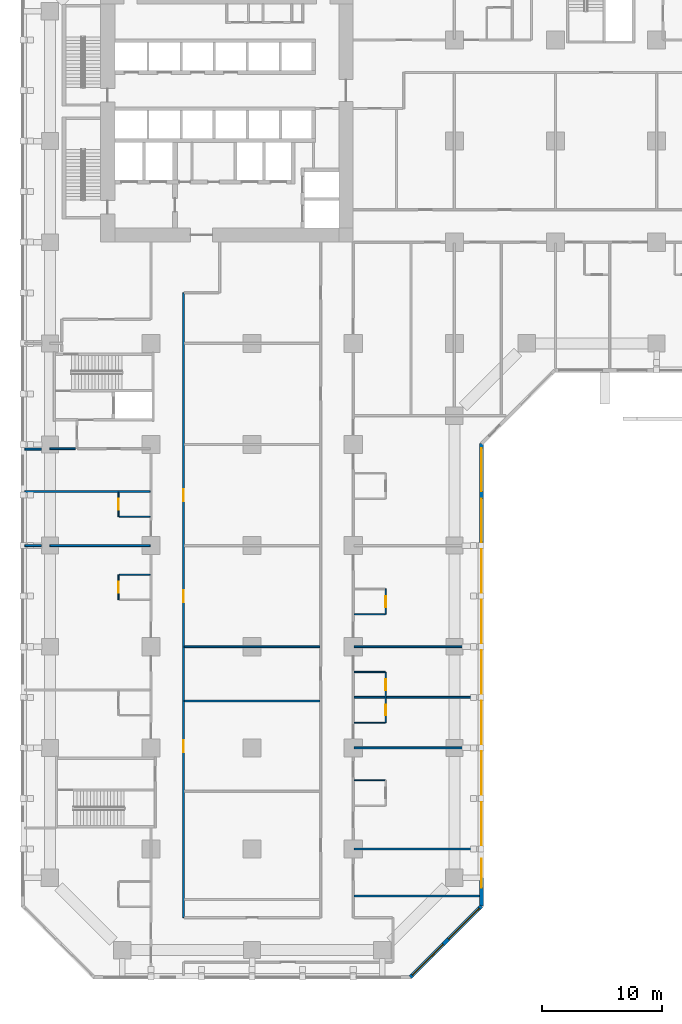
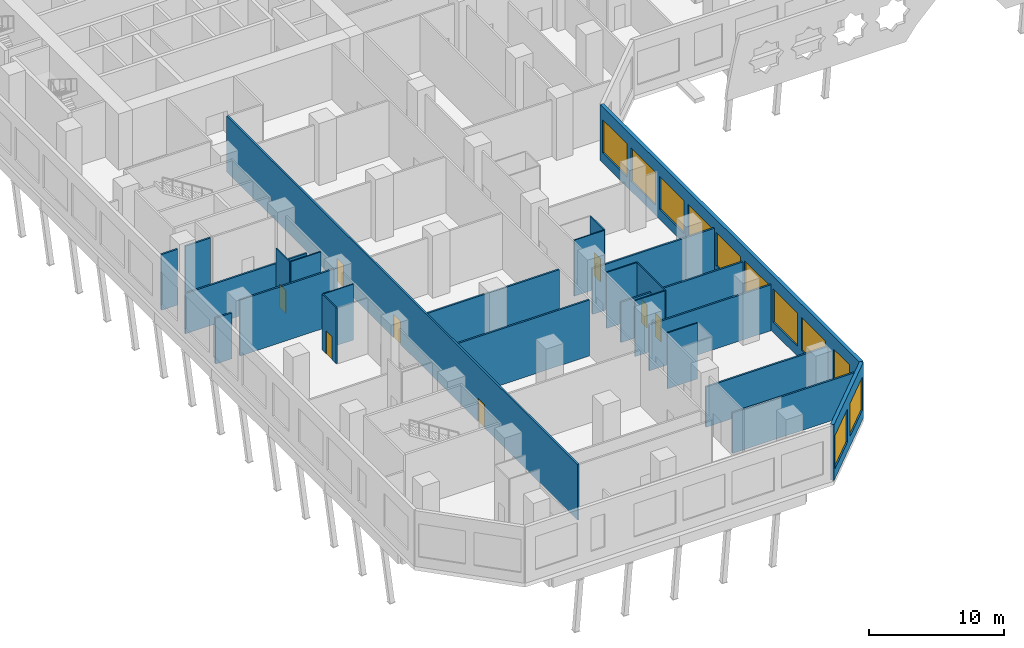
# One storey, part 4 of 24: 25 walls, 11 windows, 8 doors, 19 openings.
"""IFC4 building model written with IfcOpenShell, lengths in metres."""

from ifc_helpers import new_model, si_unit, direction, frame, frame_2d, origin, place, context, subcontext, project, spatial, rectangle, extrude, material, layer, layer_set, type_object, element, fill, save


model = new_model("IFC4")

# Units and contexts
model_context = context("Model", 3, precision=1e-05, world=origin(), true_north=direction((0.0, 1.0)))
body_context = subcontext(model_context, "Body", "Model", "MODEL_VIEW")
ifc_project = project(units=[si_unit("LENGTHUNIT", "METRE"), si_unit("AREAUNIT", "SQUARE_METRE"), si_unit("VOLUMEUNIT", "CUBIC_METRE"), si_unit("PLANEANGLEUNIT", "RADIAN"), si_unit("MASSUNIT", "GRAM", prefix="KILO")], contexts=[model_context])

# Site, building, storey
site_placement = place(None, origin())
site = spatial("IfcSite", under=ifc_project, at=site_placement, CompositionType="ELEMENT")
building_placement = place(site_placement, origin())
building = spatial("IfcBuilding", under=site, at=building_placement, Name="Kawkab Arch Medical Tower", CompositionType="ELEMENT")
storey_placement = place(building_placement, frame((0.0, 0.0, 18.199951171875)))
storey = spatial("IfcBuildingStorey", under=building, at=storey_placement, Name="L04", CompositionType="ELEMENT", Elevation=18.199951171875)

# Walls
ifc_material_1 = material(Name="Gypsum board partition on steel studs", Category="steel")
ifc_layer_1 = layer(ifc_material_1, 0.10009765625)
ifc_layer_set_1 = layer_set([ifc_layer_1], Name="Gypsum board partition on steel studs")
wall_type_1 = type_object("IfcWallType", Name="Partition 100", PredefinedType="PARTITIONING", material=ifc_layer_set_1)
wall_1_placement = place(storey_placement, frame((25.27490234375, -69.89990234375, 0.0), z_axis=(0.0, 0.0, 1.0), x_axis=(1.0, 0.0, 0.0)))
element("IfcWall", 1, at=wall_1_placement, inside=storey, type_object=wall_type_1, Name="Partition 100 w004", PredefinedType="PARTITIONING", context=body_context, shape_type="SweptSolid", body=[
    extrude(rectangle(XDim=2.57421875, YDim=0.10009765625, at=frame_2d((1.287109375, 0.0))), origin(), (0.0, 0.0, 1.0), 5.050048828125),
])
for number, where, z_axis, x_axis, name in (
    (2, (25.27490234375, -65.10009765625, 0.0), (0.0, 0.0, 1.0), (1.0, 0.0, 0.0), "Partition 100 w005"),
    (3, (25.27490234375, -60.89990234375, 0.0), (0.0, 0.0, 1.0), (1.0, 0.0, 0.0), "Partition 100 w007"),
):
    element("IfcWall", number, at=place(storey_placement, frame(where, z_axis=z_axis, x_axis=x_axis)), inside=storey, type_object=wall_type_1, Name=name, PredefinedType="PARTITIONING", context=body_context, shape_type="SweptSolid", body=[
        extrude(rectangle(XDim=2.5751953125, YDim=0.10009765625, at=frame_2d((1.28759765625, 0.0))), origin(), (0.0, 0.0, 1.0), 5.050048828125),
    ])
wall_2_placement = place(storey_placement, frame((25.27490234375, -56.10009765625, 0.0), z_axis=(0.0, 0.0, 1.0), x_axis=(1.0, 0.0, 0.0)))
element("IfcWall", 4, at=wall_2_placement, inside=storey, type_object=wall_type_1, Name="Partition 100 w008", PredefinedType="PARTITIONING", context=body_context, shape_type="SweptSolid", body=[
    extrude(rectangle(XDim=2.572998046875, YDim=0.10009765625, at=frame_2d((1.28662109375, 0.0))), origin(), (0.0, 0.0, 1.0), 5.050048828125),
])
wall_3_placement = place(storey_placement, frame((5.7529296875, -52.820068359375, 0.0), z_axis=(0.0, 0.0, 1.0), x_axis=(1.0, 0.0, 0.0)))
element("IfcWall", 5, at=wall_3_placement, inside=storey, type_object=wall_type_1, Name="Partition 100 w011", PredefinedType="PARTITIONING", context=body_context, shape_type="SweptSolid", body=[
    extrude(rectangle(XDim=2.572021484375, YDim=0.10009765625, at=frame_2d((1.2861328125, 0.0))), origin(), (0.0, 0.0, 1.0), 5.050048828125),
])
wall_4_placement = place(storey_placement, frame((5.75, -48.0, 0.0), z_axis=(0.0, 0.0, 1.0), x_axis=(1.0, 0.0, 0.0)))
element("IfcWall", 6, at=wall_4_placement, inside=storey, type_object=wall_type_1, Name="Partition 100 w012", PredefinedType="PARTITIONING", context=body_context, shape_type="SweptSolid", body=[
    extrude(rectangle(XDim=2.574951171875, YDim=0.10009765625, at=frame_2d((1.28759765625, 0.0))), origin(), (0.0, 0.0, 1.0), 5.050048828125),
])

# Wall, opening, door
wall_5_placement = place(storey_placement, frame((5.699951171875, -54.89794921875, 0.0), z_axis=(0.0, 0.0, 1.0), x_axis=(0.0, 1.0, 0.0)))
wall_5 = element("IfcWall", 7, at=wall_5_placement, inside=storey, type_object=wall_type_1, Name="Partition 100 w024", PredefinedType="PARTITIONING", context=body_context, shape_type="SweptSolid", body=[
    extrude(rectangle(XDim=2.074951171875, YDim=0.10009765625, at=frame_2d((1.03759765625, 0.0))), origin(), (0.0, 0.0, 1.0), 5.050048828125),
])
opening_1_placement = place(wall_5_placement, frame((0.5869140625, 0.0, 0.0)))
opening_1 = element("IfcOpeningElement", 8, at=opening_1_placement, cuts=wall_5, Name="Opening P04-009", PredefinedType="OPENING", context=body_context, shape_type="SweptSolid", body=[
    extrude(rectangle(XDim=0.89990234375, YDim=2.10009765625, at=frame_2d((0.449951171875, 1.050048828125))), frame((0.0, 0.06005859375, 0.0), z_axis=(0.0, -1.0, 0.0), x_axis=(1.0, 0.0, 0.0)), (0.0, 0.0, 1.0), 0.1201171875),
])
ifc_material_2 = material(Name="Timber door leaf", Category="wood")
door_type_1 = type_object("IfcDoorType", Name="Single door 900x2100", OperationType="NOTDEFINED", PredefinedType="DOOR", material=ifc_material_2)
door_1_placement = place(opening_1_placement, origin())
door_1 = element("IfcDoor", 9, at=door_1_placement, inside=storey, type_object=door_type_1, Name="Door P04-009", OperationType="SINGLE_SWING_RIGHT", OverallHeight=2.10009765625, OverallWidth=0.89990234375, PredefinedType="DOOR", context=body_context, shape_type="SweptSolid", body=[
    extrude(rectangle(XDim=0.89990234375, YDim=2.10009765625, at=frame_2d((0.449951171875, 1.050048828125))), frame((0.0, 0.02490234375, 0.0), z_axis=(0.0, -1.0, 0.0), x_axis=(1.0, 0.0, 0.0)), (0.0, 0.0, 1.0), 0.050048828125),
])
fill(opening_1, door_1)

wall_6_placement = place(storey_placement, frame((5.699951171875, -48.0, 0.0), z_axis=(0.0, 0.0, 1.0), x_axis=(0.0, 1.0, 0.0)))
wall_6 = element("IfcWall", 10, at=wall_6_placement, inside=storey, type_object=wall_type_1, Name="Partition 100 w025", PredefinedType="PARTITIONING", context=body_context, shape_type="SweptSolid", body=[
    extrude(rectangle(XDim=2.02490234375, YDim=0.10009765625, at=frame_2d((1.012451171875, 0.0))), origin(), (0.0, 0.0, 1.0), 5.050048828125),
])
opening_2_placement = place(wall_6_placement, frame((0.60009765625, 0.0, 0.0)))
opening_2 = element("IfcOpeningElement", 11, at=opening_2_placement, cuts=wall_6, Name="Opening P04-008", PredefinedType="OPENING", context=body_context, shape_type="SweptSolid", body=[
    extrude(rectangle(XDim=0.89990234375, YDim=2.10009765625, at=frame_2d((0.449951171875, 1.050048828125))), frame((0.0, 0.06005859375, 0.0), z_axis=(0.0, -1.0, 0.0), x_axis=(1.0, 0.0, 0.0)), (0.0, 0.0, 1.0), 0.1201171875),
])
door_2_placement = place(opening_2_placement, origin())
door_2 = element("IfcDoor", 12, at=door_2_placement, inside=storey, type_object=door_type_1, Name="Door P04-008", OperationType="SINGLE_SWING_LEFT", OverallHeight=2.10009765625, OverallWidth=0.89990234375, PredefinedType="DOOR", context=body_context, shape_type="SweptSolid", body=[
    extrude(rectangle(XDim=0.89990234375, YDim=2.10009765625, at=frame_2d((0.449951171875, 1.050048828125))), frame((0.0, 0.02490234375, 0.0), z_axis=(0.0, -1.0, 0.0), x_axis=(1.0, 0.0, 0.0)), (0.0, 0.0, 1.0), 0.050048828125),
])
fill(opening_2, door_2)

# Wall, openings, doors
wall_7_placement = place(storey_placement, frame((27.89990234375, -65.10009765625, 0.0), z_axis=(0.0, 0.0, 1.0), x_axis=(0.0, 1.0, 0.0)))
wall_7 = element("IfcWall", 13, at=wall_7_placement, inside=storey, type_object=wall_type_1, Name="Partition 100 w027", PredefinedType="PARTITIONING", context=body_context, shape_type="SweptSolid", body=[
    extrude(rectangle(XDim=4.2001953125, YDim=0.10009765625, at=frame_2d((2.10009765625, 0.0))), origin(), (0.0, 0.0, 1.0), 5.050048828125),
])
opening_3_placement = place(wall_7_placement, frame((2.699951171875, 0.0, 0.0)))
opening_3 = element("IfcOpeningElement", 14, at=opening_3_placement, cuts=wall_7, Name="Opening P04-015", PredefinedType="OPENING", context=body_context, shape_type="SweptSolid", body=[
    extrude(rectangle(XDim=0.89990234375, YDim=2.10009765625, at=frame_2d((0.449951171875, 1.050048828125))), frame((0.0, 0.06005859375, 0.0), z_axis=(0.0, -1.0, 0.0), x_axis=(1.0, 0.0, 0.0)), (0.0, 0.0, 1.0), 0.1201171875),
])
opening_4_placement = place(wall_7_placement, frame((0.60009765625, 0.0, 0.0)))
opening_4 = element("IfcOpeningElement", 15, at=opening_4_placement, cuts=wall_7, Name="Opening P04-016", PredefinedType="OPENING", context=body_context, shape_type="SweptSolid", body=[
    extrude(rectangle(XDim=0.89990234375, YDim=2.10009765625, at=frame_2d((0.449951171875, 1.050048828125))), frame((0.0, 0.06005859375, 0.0), z_axis=(0.0, -1.0, 0.0), x_axis=(1.0, 0.0, 0.0)), (0.0, 0.0, 1.0), 0.1201171875),
])
door_3_placement = place(opening_3_placement, origin())
door_3 = element("IfcDoor", 16, at=door_3_placement, inside=storey, type_object=door_type_1, Name="Door P04-015", OperationType="SINGLE_SWING_LEFT", OverallHeight=2.10009765625, OverallWidth=0.89990234375, PredefinedType="DOOR", context=body_context, shape_type="SweptSolid", body=[
    extrude(rectangle(XDim=0.89990234375, YDim=2.10009765625, at=frame_2d((0.449951171875, 1.050048828125))), frame((0.0, 0.02490234375, 0.0), z_axis=(0.0, -1.0, 0.0), x_axis=(1.0, 0.0, 0.0)), (0.0, 0.0, 1.0), 0.050048828125),
])
fill(opening_3, door_3)
door_4_placement = place(opening_4_placement, origin())
door_4 = element("IfcDoor", 17, at=door_4_placement, inside=storey, type_object=door_type_1, Name="Door P04-016", OperationType="SINGLE_SWING_RIGHT", OverallHeight=2.10009765625, OverallWidth=0.89990234375, PredefinedType="DOOR", context=body_context, shape_type="SweptSolid", body=[
    extrude(rectangle(XDim=0.89990234375, YDim=2.10009765625, at=frame_2d((0.449951171875, 1.050048828125))), frame((0.0, 0.02490234375, 0.0), z_axis=(0.0, -1.0, 0.0), x_axis=(1.0, 0.0, 0.0)), (0.0, 0.0, 1.0), 0.050048828125),
])
fill(opening_4, door_4)

# Wall, opening, door
wall_8_placement = place(storey_placement, frame((27.89990234375, -56.097900390625, 0.0), z_axis=(0.0, 0.0, 1.0), x_axis=(0.0, 1.0, 0.0)))
wall_8 = element("IfcWall", 18, at=wall_8_placement, inside=storey, type_object=wall_type_1, Name="Partition 100 w028", PredefinedType="PARTITIONING", context=body_context, shape_type="SweptSolid", body=[
    extrude(rectangle(XDim=2.095947265625, YDim=0.10009765625, at=frame_2d((1.0478515625, 0.0))), origin(), (0.0, 0.0, 1.0), 5.050048828125),
])
opening_5_placement = place(wall_8_placement, frame((0.597900390625, 0.0, 0.0)))
opening_5 = element("IfcOpeningElement", 19, at=opening_5_placement, cuts=wall_8, Name="Opening P04-014", PredefinedType="OPENING", context=body_context, shape_type="SweptSolid", body=[
    extrude(rectangle(XDim=0.89990234375, YDim=2.10009765625, at=frame_2d((0.449951171875, 1.050048828125))), frame((0.0, 0.06005859375, 0.0), z_axis=(0.0, -1.0, 0.0), x_axis=(1.0, 0.0, 0.0)), (0.0, 0.0, 1.0), 0.1201171875),
])
door_5_placement = place(opening_5_placement, origin())
door_5 = element("IfcDoor", 20, at=door_5_placement, inside=storey, type_object=door_type_1, Name="Door P04-014", OperationType="SINGLE_SWING_RIGHT", OverallHeight=2.10009765625, OverallWidth=0.89990234375, PredefinedType="DOOR", context=body_context, shape_type="SweptSolid", body=[
    extrude(rectangle(XDim=0.89990234375, YDim=2.10009765625, at=frame_2d((0.449951171875, 1.050048828125))), frame((0.0, 0.02490234375, 0.0), z_axis=(0.0, -1.0, 0.0), x_axis=(1.0, 0.0, 0.0)), (0.0, 0.0, 1.0), 0.050048828125),
])
fill(opening_5, door_5)

# Walls
ifc_material_3 = material(Name="Gypsum board partition on steel studs, mineral wool", Category="steel")
ifc_layer_2 = layer(ifc_material_3, 0.14990234375)
ifc_layer_set_2 = layer_set([ifc_layer_2], Name="Gypsum board partition on steel studs, mineral wool")
wall_type_2 = type_object("IfcWallType", Name="Partition 150", PredefinedType="PARTITIONING", material=ifc_layer_set_2)
for number, where, z_axis, x_axis, name in (
    (21, (25.27490234375, -79.5, 0.0), (0.0, 0.0, 1.0), (1.0, 0.0, 0.0), "Partition 150 w046"),
    (22, (25.27490234375, -75.60009765625, 0.0), (0.0, 0.0, 1.0), (1.0, 0.0, 0.0), "Partition 150 w047"),
):
    element("IfcWall", number, at=place(storey_placement, frame(where, z_axis=z_axis, x_axis=x_axis)), inside=storey, type_object=wall_type_2, Name=name, PredefinedType="PARTITIONING", context=body_context, shape_type="SweptSolid", body=[
        extrude(rectangle(XDim=10.405029296875, YDim=0.14990234375, at=frame_2d((5.20263671875, 0.0))), origin(), (0.0, 0.0, 1.0), 3.650146484375),
    ])
wall_9_placement = place(storey_placement, frame((25.27490234375, -67.199951171875, 0.0), z_axis=(0.0, 0.0, 1.0), x_axis=(1.0, 0.0, 0.0)))
element("IfcWall", 23, at=wall_9_placement, inside=storey, type_object=wall_type_2, Name="Partition 150 w050", PredefinedType="PARTITIONING", context=body_context, shape_type="SweptSolid", body=[
    extrude(rectangle(XDim=10.405029296875, YDim=0.14990234375, at=frame_2d((5.20263671875, 0.0))), origin(), (0.0, 0.0, 1.0), 4.150146484375),
])
wall_10_placement = place(storey_placement, frame((11.175048828125, -63.300048828125, 0.0), z_axis=(0.0, 0.0, 1.0), x_axis=(1.0, 0.0, 0.0)))
element("IfcWall", 24, at=wall_10_placement, inside=storey, type_object=wall_type_2, Name="Partition 150 w051", PredefinedType="PARTITIONING", context=body_context, shape_type="SweptSolid", body=[
    extrude(rectangle(XDim=11.25, YDim=0.14990234375, at=frame_2d((5.625, 0.0))), origin(), (0.0, 0.0, 1.0), 5.050048828125),
])
wall_11_placement = place(storey_placement, frame((25.27490234375, -63.0, 0.0), z_axis=(0.0, 0.0, 1.0), x_axis=(1.0, 0.0, 0.0)))
element("IfcWall", 25, at=wall_11_placement, inside=storey, type_object=wall_type_2, Name="Partition 150 w052", PredefinedType="PARTITIONING", context=body_context, shape_type="SweptSolid", body=[
    extrude(rectangle(XDim=10.405029296875, YDim=0.14990234375, at=frame_2d((5.20263671875, 0.0))), origin(), (0.0, 0.0, 1.0), 3.650146484375),
])
wall_12_placement = place(storey_placement, frame((11.175048828125, -58.800048828125, 0.0), z_axis=(0.0, 0.0, 1.0), x_axis=(1.0, 0.0, 0.0)))
element("IfcWall", 26, at=wall_12_placement, inside=storey, type_object=wall_type_2, Name="Partition 150 w054", PredefinedType="PARTITIONING", context=body_context, shape_type="SweptSolid", body=[
    extrude(rectangle(XDim=11.25, YDim=0.14990234375, at=frame_2d((5.625, 0.0))), origin(), (0.0, 0.0, 1.0), 5.050048828125),
])
wall_13_placement = place(storey_placement, frame((25.27490234375, -58.800048828125, 0.0), z_axis=(0.0, 0.0, 1.0), x_axis=(1.0, 0.0, 0.0)))
element("IfcWall", 27, at=wall_13_placement, inside=storey, type_object=wall_type_2, Name="Partition 150 w055", PredefinedType="PARTITIONING", context=body_context, shape_type="SweptSolid", body=[
    extrude(rectangle(XDim=10.405029296875, YDim=0.14990234375, at=frame_2d((5.20263671875, 0.0))), origin(), (0.0, 0.0, 1.0), 4.150146484375),
])
wall_14_placement = place(storey_placement, frame((-2.080078125, -50.39990234375, 0.0), z_axis=(0.0, 0.0, 1.0), x_axis=(1.0, 0.0, 0.0)))
element("IfcWall", 28, at=wall_14_placement, inside=storey, type_object=wall_type_2, Name="Partition 150 w056", PredefinedType="PARTITIONING", context=body_context, shape_type="SweptSolid", body=[
    extrude(rectangle(XDim=1.380126953125, YDim=0.14990234375, at=frame_2d((0.68994140625, 0.0))), origin(), (0.0, 0.0, 1.0), 4.150146484375),
])
wall_15_placement = place(storey_placement, frame((0.0029296875, -50.39990234375, 0.0), z_axis=(0.0, 0.0, 1.0), x_axis=(1.0, 0.0, 0.0)))
element("IfcWall", 29, at=wall_15_placement, inside=storey, type_object=wall_type_2, Name="Partition 150 w057", PredefinedType="PARTITIONING", context=body_context, shape_type="SweptSolid", body=[
    extrude(rectangle(XDim=8.322021484375, YDim=0.14990234375, at=frame_2d((4.1611328125, 0.0))), origin(), (0.0, 0.0, 1.0), 5.050048828125),
])
wall_16_placement = place(storey_placement, frame((-2.080078125, -45.89990234375, 0.0), z_axis=(0.0, 0.0, 1.0), x_axis=(1.0, 0.0, 0.0)))
element("IfcWall", 30, at=wall_16_placement, inside=storey, type_object=wall_type_2, Name="Partition 150 w060", PredefinedType="PARTITIONING", context=body_context, shape_type="SweptSolid", body=[
    extrude(rectangle(XDim=10.405029296875, YDim=0.14990234375, at=frame_2d((5.20263671875, 0.0))), origin(), (0.0, 0.0, 1.0), 3.650146484375),
])
wall_17_placement = place(storey_placement, frame((-2.080078125, -42.385009765625, 0.0), z_axis=(0.0, 0.0, 1.0), x_axis=(1.0, 0.0, 0.0)))
element("IfcWall", 31, at=wall_17_placement, inside=storey, type_object=wall_type_2, Name="Partition 150 w061", PredefinedType="PARTITIONING", context=body_context, shape_type="SweptSolid", body=[
    extrude(rectangle(XDim=1.380126953125, YDim=0.14990234375, at=frame_2d((0.68994140625, 0.0))), origin(), (0.0, 0.0, 1.0), 5.050048828125),
])
wall_18_placement = place(storey_placement, frame((0.0029296875, -42.35009765625, 0.0), z_axis=(0.0, 0.0, 1.0), x_axis=(1.0, 0.0, 0.0)))
element("IfcWall", 32, at=wall_18_placement, inside=storey, type_object=wall_type_2, Name="Partition 150 w062", PredefinedType="PARTITIONING", context=body_context, shape_type="SweptSolid", body=[
    extrude(rectangle(XDim=2.1220703125, YDim=0.14990234375, at=frame_2d((1.06103515625, 0.0))), origin(), (0.0, 0.0, 1.0), 5.050048828125),
])

# Wall, openings, doors
wall_19_placement = place(storey_placement, frame((11.10009765625, -81.300048828125, 0.0), z_axis=(0.0, 0.0, 1.0), x_axis=(0.0, 1.0, 0.0)))
wall_19 = element("IfcWall", 33, at=wall_19_placement, inside=storey, type_object=wall_type_2, Name="Partition 150 w095", PredefinedType="PARTITIONING", context=body_context, shape_type="SweptSolid", body=[
    extrude(rectangle(XDim=51.900146484375, YDim=0.14990234375, at=frame_2d((25.9501953125, 0.0))), origin(), (0.0, 0.0, 1.0), 5.050048828125),
])
opening_6_placement = place(wall_19_placement, frame((34.60009765625, 0.0, 0.0)))
opening_6 = element("IfcOpeningElement", 34, at=opening_6_placement, cuts=wall_19, Name="Opening P04-031", PredefinedType="OPENING", context=body_context, shape_type="SweptSolid", body=[
    extrude(rectangle(XDim=1.0, YDim=2.10009765625, at=frame_2d((0.5, 1.050048828125))), frame((0.0, 0.0849609375, 0.0), z_axis=(0.0, -1.0, 0.0), x_axis=(1.0, 0.0, 0.0)), (0.0, 0.0, 1.0), 0.169921875),
])
opening_7_placement = place(wall_19_placement, frame((26.199951171875, 0.0, 0.0)))
opening_7 = element("IfcOpeningElement", 35, at=opening_7_placement, cuts=wall_19, Name="Opening P04-032", PredefinedType="OPENING", context=body_context, shape_type="SweptSolid", body=[
    extrude(rectangle(XDim=1.0, YDim=2.10009765625, at=frame_2d((0.5, 1.050048828125))), frame((0.0, 0.0849609375, 0.0), z_axis=(0.0, -1.0, 0.0), x_axis=(1.0, 0.0, 0.0)), (0.0, 0.0, 1.0), 0.169921875),
])
opening_8_placement = place(wall_19_placement, frame((13.75, 0.0, 0.0)))
opening_8 = element("IfcOpeningElement", 36, at=opening_8_placement, cuts=wall_19, Name="Opening P04-034", PredefinedType="OPENING", context=body_context, shape_type="SweptSolid", body=[
    extrude(rectangle(XDim=1.0, YDim=2.10009765625, at=frame_2d((0.5, 1.050048828125))), frame((0.0, 0.0849609375, 0.0), z_axis=(0.0, -1.0, 0.0), x_axis=(1.0, 0.0, 0.0)), (0.0, 0.0, 1.0), 0.169921875),
])
ifc_material_4 = material(Name="Hollow metal door leaf")
door_type_2 = type_object("IfcDoorType", Name="Single door 1000x2100 FD30S", OperationType="NOTDEFINED", PredefinedType="DOOR", material=ifc_material_4)
door_6_placement = place(opening_6_placement, origin())
door_6 = element("IfcDoor", 37, at=door_6_placement, inside=storey, type_object=door_type_2, Name="Door P04-031", OperationType="SINGLE_SWING_LEFT", OverallHeight=2.10009765625, OverallWidth=1.0, PredefinedType="DOOR", context=body_context, shape_type="SweptSolid", body=[
    extrude(rectangle(XDim=1.0, YDim=2.10009765625, at=frame_2d((0.5, 1.050048828125))), frame((0.0, 0.02490234375, 0.0), z_axis=(0.0, -1.0, 0.0), x_axis=(1.0, 0.0, 0.0)), (0.0, 0.0, 1.0), 0.050048828125),
])
fill(opening_6, door_6)
door_7_placement = place(opening_7_placement, origin())
door_7 = element("IfcDoor", 38, at=door_7_placement, inside=storey, type_object=door_type_2, Name="Door P04-032", OperationType="SINGLE_SWING_LEFT", OverallHeight=2.10009765625, OverallWidth=1.0, PredefinedType="DOOR", context=body_context, shape_type="SweptSolid", body=[
    extrude(rectangle(XDim=1.0, YDim=2.10009765625, at=frame_2d((0.5, 1.050048828125))), frame((0.0, 0.02490234375, 0.0), z_axis=(0.0, -1.0, 0.0), x_axis=(1.0, 0.0, 0.0)), (0.0, 0.0, 1.0), 0.050048828125),
])
fill(opening_7, door_7)
door_8_placement = place(opening_8_placement, origin())
door_8 = element("IfcDoor", 39, at=door_8_placement, inside=storey, type_object=door_type_2, Name="Door P04-034", OperationType="SINGLE_SWING_RIGHT", OverallHeight=2.10009765625, OverallWidth=1.0, PredefinedType="DOOR", context=body_context, shape_type="SweptSolid", body=[
    extrude(rectangle(XDim=1.0, YDim=2.10009765625, at=frame_2d((0.5, 1.050048828125))), frame((0.0, 0.02490234375, 0.0), z_axis=(0.0, -1.0, 0.0), x_axis=(1.0, 0.0, 0.0)), (0.0, 0.0, 1.0), 0.050048828125),
])
fill(opening_8, door_8)

# Wall, openings, windows
ifc_material_5 = material(Name="Bronze clad insulated wall panel")
ifc_layer_3 = layer(ifc_material_5, 0.300048828125)
ifc_layer_set_3 = layer_set([ifc_layer_3], Name="Bronze clad insulated wall panel")
wall_type_3 = type_object("IfcWallType", Name="Podium external wall 300", PredefinedType="SOLIDWALL", material=ifc_layer_set_3)
wall_20_placement = place(storey_placement, frame((35.85009765625, -80.337890625, 0.0), z_axis=(0.0, 0.0, 1.0), x_axis=(0.0, 1.0, 0.0)))
wall_20 = element("IfcWall", 40, at=wall_20_placement, inside=storey, type_object=wall_type_3, Name="Podium external wall L04 R01", PredefinedType="SOLIDWALL", context=body_context, shape_type="SweptSolid", body=[
    extrude(rectangle(XDim=38.39990234375, YDim=0.300048828125, at=frame_2d((19.199951171875, 0.0))), origin(), (0.0, 0.0, 1.0), 5.050048828125),
])
opening_9_placement = place(wall_20_placement, frame((1.512939453125, 0.0, 0.89990234375)))
opening_9 = element("IfcOpeningElement", 41, at=opening_9_placement, cuts=wall_20, Name="Opening PBW240-30-S9", PredefinedType="OPENING", context=body_context, shape_type="SweptSolid", body=[
    extrude(rectangle(XDim=2.39990234375, YDim=3.0, at=frame_2d((1.199951171875, 1.5))), frame((0.0, 0.159912109375, 0.0), z_axis=(0.0, -1.0, 0.0), x_axis=(1.0, 0.0, 0.0)), (0.0, 0.0, 1.0), 0.320068359375),
])
opening_10_placement = place(wall_20_placement, frame((5.037841796875, 0.0, 0.89990234375)))
opening_10 = element("IfcOpeningElement", 42, at=opening_10_placement, cuts=wall_20, Name="Opening PBW360-30-S9", PredefinedType="OPENING", context=body_context, shape_type="SweptSolid", body=[
    extrude(rectangle(XDim=3.60009765625, YDim=3.0, at=frame_2d((1.800048828125, 1.5))), frame((0.0, 0.159912109375, 0.0), z_axis=(0.0, -1.0, 0.0), x_axis=(1.0, 0.0, 0.0)), (0.0, 0.0, 1.0), 0.320068359375),
])
opening_11_placement = place(wall_20_placement, frame((9.23779296875, 0.0, 0.89990234375)))
opening_11 = element("IfcOpeningElement", 43, at=opening_11_placement, cuts=wall_20, Name="Opening PBW360-30-S9", PredefinedType="OPENING", context=body_context, shape_type="SweptSolid", body=[
    extrude(rectangle(XDim=3.60009765625, YDim=3.0, at=frame_2d((1.800048828125, 1.5))), frame((0.0, 0.159912109375, 0.0), z_axis=(0.0, -1.0, 0.0), x_axis=(1.0, 0.0, 0.0)), (0.0, 0.0, 1.0), 0.320068359375),
])
opening_12_placement = place(wall_20_placement, frame((13.43798828125, 0.0, 0.89990234375)))
opening_12 = element("IfcOpeningElement", 44, at=opening_12_placement, cuts=wall_20, Name="Opening PBW360-30-S9", PredefinedType="OPENING", context=body_context, shape_type="SweptSolid", body=[
    extrude(rectangle(XDim=3.60009765625, YDim=3.0, at=frame_2d((1.800048828125, 1.5))), frame((0.0, 0.159912109375, 0.0), z_axis=(0.0, -1.0, 0.0), x_axis=(1.0, 0.0, 0.0)), (0.0, 0.0, 1.0), 0.320068359375),
])
opening_13_placement = place(wall_20_placement, frame((17.637939453125, 0.0, 0.89990234375)))
opening_13 = element("IfcOpeningElement", 45, at=opening_13_placement, cuts=wall_20, Name="Opening PBW360-30-S9", PredefinedType="OPENING", context=body_context, shape_type="SweptSolid", body=[
    extrude(rectangle(XDim=3.60009765625, YDim=3.0, at=frame_2d((1.800048828125, 1.5))), frame((0.0, 0.159912109375, 0.0), z_axis=(0.0, -1.0, 0.0), x_axis=(1.0, 0.0, 0.0)), (0.0, 0.0, 1.0), 0.320068359375),
])
opening_14_placement = place(wall_20_placement, frame((21.837890625, 0.0, 0.89990234375)))
opening_14 = element("IfcOpeningElement", 46, at=opening_14_placement, cuts=wall_20, Name="Opening PBW360-30-S9", PredefinedType="OPENING", context=body_context, shape_type="SweptSolid", body=[
    extrude(rectangle(XDim=3.60009765625, YDim=3.0, at=frame_2d((1.800048828125, 1.5))), frame((0.0, 0.159912109375, 0.0), z_axis=(0.0, -1.0, 0.0), x_axis=(1.0, 0.0, 0.0)), (0.0, 0.0, 1.0), 0.320068359375),
])
opening_15_placement = place(wall_20_placement, frame((26.037841796875, 0.0, 0.89990234375)))
opening_15 = element("IfcOpeningElement", 47, at=opening_15_placement, cuts=wall_20, Name="Opening PBW360-30-S9", PredefinedType="OPENING", context=body_context, shape_type="SweptSolid", body=[
    extrude(rectangle(XDim=3.60009765625, YDim=3.0, at=frame_2d((1.800048828125, 1.5))), frame((0.0, 0.159912109375, 0.0), z_axis=(0.0, -1.0, 0.0), x_axis=(1.0, 0.0, 0.0)), (0.0, 0.0, 1.0), 0.320068359375),
])
opening_16_placement = place(wall_20_placement, frame((30.23779296875, 0.0, 0.89990234375)))
opening_16 = element("IfcOpeningElement", 48, at=opening_16_placement, cuts=wall_20, Name="Opening PBW360-30-S9", PredefinedType="OPENING", context=body_context, shape_type="SweptSolid", body=[
    extrude(rectangle(XDim=3.60009765625, YDim=3.0, at=frame_2d((1.800048828125, 1.5))), frame((0.0, 0.159912109375, 0.0), z_axis=(0.0, -1.0, 0.0), x_axis=(1.0, 0.0, 0.0)), (0.0, 0.0, 1.0), 0.320068359375),
])
opening_17_placement = place(wall_20_placement, frame((34.43798828125, 0.0, 0.89990234375)))
opening_17 = element("IfcOpeningElement", 49, at=opening_17_placement, cuts=wall_20, Name="Opening PBW360-30-S9", PredefinedType="OPENING", context=body_context, shape_type="SweptSolid", body=[
    extrude(rectangle(XDim=3.60009765625, YDim=3.0, at=frame_2d((1.800048828125, 1.5))), frame((0.0, 0.159912109375, 0.0), z_axis=(0.0, -1.0, 0.0), x_axis=(1.0, 0.0, 0.0)), (0.0, 0.0, 1.0), 0.320068359375),
])
ifc_material_6 = material(Name="Bronze anodised aluminium louvred window", Category="aluminium")
window_type_1 = type_object("IfcWindowType", Name="Podium band window 2400 x 3000 sill 900", PartitioningType="DOUBLE_PANEL_VERTICAL", PredefinedType="WINDOW", material=ifc_material_6)
window_1_placement = place(opening_9_placement, origin())
window_1 = element("IfcWindow", 50, at=window_1_placement, inside=storey, type_object=window_type_1, Name="Band window L04 R01.1", OverallHeight=3.0, OverallWidth=2.39990234375, PartitioningType="SINGLE_PANEL", PredefinedType="WINDOW", context=body_context, shape_type="SweptSolid", body=[
    extrude(rectangle(XDim=2.39990234375, YDim=3.0, at=frame_2d((1.199951171875, 1.5))), frame((0.0, 0.030029296875, 0.0), z_axis=(0.0, -1.0, 0.0), x_axis=(1.0, 0.0, 0.0)), (0.0, 0.0, 1.0), 0.06005859375),
])
fill(opening_9, window_1)
ifc_material_7 = material(Name="Bronze anodised aluminium louvred window", Category="aluminium")
window_type_2 = type_object("IfcWindowType", Name="Podium band window 3600 x 3000 sill 900", PartitioningType="DOUBLE_PANEL_VERTICAL", PredefinedType="WINDOW", material=ifc_material_7)
window_2_placement = place(opening_10_placement, origin())
window_2 = element("IfcWindow", 51, at=window_2_placement, inside=storey, type_object=window_type_2, Name="Band window L04 R01.2", OverallHeight=3.0, OverallWidth=3.60009765625, PartitioningType="SINGLE_PANEL", PredefinedType="WINDOW", context=body_context, shape_type="SweptSolid", body=[
    extrude(rectangle(XDim=3.60009765625, YDim=3.0, at=frame_2d((1.800048828125, 1.5))), frame((0.0, 0.030029296875, 0.0), z_axis=(0.0, -1.0, 0.0), x_axis=(1.0, 0.0, 0.0)), (0.0, 0.0, 1.0), 0.06005859375),
])
fill(opening_10, window_2)
window_3_placement = place(opening_11_placement, origin())
window_3 = element("IfcWindow", 52, at=window_3_placement, inside=storey, type_object=window_type_2, Name="Band window L04 R01.3", OverallHeight=3.0, OverallWidth=3.60009765625, PartitioningType="SINGLE_PANEL", PredefinedType="WINDOW", context=body_context, shape_type="SweptSolid", body=[
    extrude(rectangle(XDim=3.60009765625, YDim=3.0, at=frame_2d((1.800048828125, 1.5))), frame((0.0, 0.030029296875, 0.0), z_axis=(0.0, -1.0, 0.0), x_axis=(1.0, 0.0, 0.0)), (0.0, 0.0, 1.0), 0.06005859375),
])
fill(opening_11, window_3)
window_4_placement = place(opening_12_placement, origin())
window_4 = element("IfcWindow", 53, at=window_4_placement, inside=storey, type_object=window_type_2, Name="Band window L04 R01.4", OverallHeight=3.0, OverallWidth=3.60009765625, PartitioningType="SINGLE_PANEL", PredefinedType="WINDOW", context=body_context, shape_type="SweptSolid", body=[
    extrude(rectangle(XDim=3.60009765625, YDim=3.0, at=frame_2d((1.800048828125, 1.5))), frame((0.0, 0.030029296875, 0.0), z_axis=(0.0, -1.0, 0.0), x_axis=(1.0, 0.0, 0.0)), (0.0, 0.0, 1.0), 0.06005859375),
])
fill(opening_12, window_4)
window_5_placement = place(opening_13_placement, origin())
window_5 = element("IfcWindow", 54, at=window_5_placement, inside=storey, type_object=window_type_2, Name="Band window L04 R01.5", OverallHeight=3.0, OverallWidth=3.60009765625, PartitioningType="SINGLE_PANEL", PredefinedType="WINDOW", context=body_context, shape_type="SweptSolid", body=[
    extrude(rectangle(XDim=3.60009765625, YDim=3.0, at=frame_2d((1.800048828125, 1.5))), frame((0.0, 0.030029296875, 0.0), z_axis=(0.0, -1.0, 0.0), x_axis=(1.0, 0.0, 0.0)), (0.0, 0.0, 1.0), 0.06005859375),
])
fill(opening_13, window_5)
window_6_placement = place(opening_14_placement, origin())
window_6 = element("IfcWindow", 55, at=window_6_placement, inside=storey, type_object=window_type_2, Name="Band window L04 R01.6", OverallHeight=3.0, OverallWidth=3.60009765625, PartitioningType="SINGLE_PANEL", PredefinedType="WINDOW", context=body_context, shape_type="SweptSolid", body=[
    extrude(rectangle(XDim=3.60009765625, YDim=3.0, at=frame_2d((1.800048828125, 1.5))), frame((0.0, 0.030029296875, 0.0), z_axis=(0.0, -1.0, 0.0), x_axis=(1.0, 0.0, 0.0)), (0.0, 0.0, 1.0), 0.06005859375),
])
fill(opening_14, window_6)
window_7_placement = place(opening_15_placement, origin())
window_7 = element("IfcWindow", 56, at=window_7_placement, inside=storey, type_object=window_type_2, Name="Band window L04 R01.7", OverallHeight=3.0, OverallWidth=3.60009765625, PartitioningType="SINGLE_PANEL", PredefinedType="WINDOW", context=body_context, shape_type="SweptSolid", body=[
    extrude(rectangle(XDim=3.60009765625, YDim=3.0, at=frame_2d((1.800048828125, 1.5))), frame((0.0, 0.030029296875, 0.0), z_axis=(0.0, -1.0, 0.0), x_axis=(1.0, 0.0, 0.0)), (0.0, 0.0, 1.0), 0.06005859375),
])
fill(opening_15, window_7)
window_8_placement = place(opening_16_placement, origin())
window_8 = element("IfcWindow", 57, at=window_8_placement, inside=storey, type_object=window_type_2, Name="Band window L04 R01.8", OverallHeight=3.0, OverallWidth=3.60009765625, PartitioningType="SINGLE_PANEL", PredefinedType="WINDOW", context=body_context, shape_type="SweptSolid", body=[
    extrude(rectangle(XDim=3.60009765625, YDim=3.0, at=frame_2d((1.800048828125, 1.5))), frame((0.0, 0.030029296875, 0.0), z_axis=(0.0, -1.0, 0.0), x_axis=(1.0, 0.0, 0.0)), (0.0, 0.0, 1.0), 0.06005859375),
])
fill(opening_16, window_8)
window_9_placement = place(opening_17_placement, origin())
window_9 = element("IfcWindow", 58, at=window_9_placement, inside=storey, type_object=window_type_2, Name="Band window L04 R01.9", OverallHeight=3.0, OverallWidth=3.60009765625, PartitioningType="SINGLE_PANEL", PredefinedType="WINDOW", context=body_context, shape_type="SweptSolid", body=[
    extrude(rectangle(XDim=3.60009765625, YDim=3.0, at=frame_2d((1.800048828125, 1.5))), frame((0.0, 0.030029296875, 0.0), z_axis=(0.0, -1.0, 0.0), x_axis=(1.0, 0.0, 0.0)), (0.0, 0.0, 1.0), 0.06005859375),
])
fill(opening_17, window_9)

wall_21_placement = place(storey_placement, frame((29.93798828125, -86.25, 0.0), z_axis=(0.0, 0.0, 1.0), x_axis=(0.707106781187, 0.707106781187, 0.0)))
wall_21 = element("IfcWall", 59, at=wall_21_placement, inside=storey, type_object=wall_type_3, Name="Podium external wall L04 R10", PredefinedType="SOLIDWALL", context=body_context, shape_type="SweptSolid", body=[
    extrude(rectangle(XDim=8.361083984375, YDim=0.300048828125, at=frame_2d((4.1806640625, 0.0))), origin(), (0.0, 0.0, 1.0), 5.050048828125),
])
opening_18_placement = place(wall_21_placement, frame((0.259033203125, 0.0, 0.89990234375)))
opening_18 = element("IfcOpeningElement", 60, at=opening_18_placement, cuts=wall_21, Name="Opening PBW360-30-S9", PredefinedType="OPENING", context=body_context, shape_type="SweptSolid", body=[
    extrude(rectangle(XDim=3.60009765625, YDim=3.0, at=frame_2d((1.800048828125, 1.5))), frame((0.0, 0.159912109375, 0.0), z_axis=(0.0, -1.0, 0.0), x_axis=(1.0, 0.0, 0.0)), (0.0, 0.0, 1.0), 0.320068359375),
])
opening_19_placement = place(wall_21_placement, frame((4.501708984375, 0.0, 0.89990234375)))
opening_19 = element("IfcOpeningElement", 61, at=opening_19_placement, cuts=wall_21, Name="Opening PBW360-30-S9", PredefinedType="OPENING", context=body_context, shape_type="SweptSolid", body=[
    extrude(rectangle(XDim=3.60009765625, YDim=3.0, at=frame_2d((1.800048828125, 1.5))), frame((0.0, 0.159912109375, 0.0), z_axis=(0.0, -1.0, 0.0), x_axis=(1.0, 0.0, 0.0)), (0.0, 0.0, 1.0), 0.320068359375),
])
window_10_placement = place(opening_18_placement, origin())
window_10 = element("IfcWindow", 62, at=window_10_placement, inside=storey, type_object=window_type_2, Name="Band window L04 R10.1", OverallHeight=3.0, OverallWidth=3.60009765625, PartitioningType="SINGLE_PANEL", PredefinedType="WINDOW", context=body_context, shape_type="SweptSolid", body=[
    extrude(rectangle(XDim=3.60009765625, YDim=3.0, at=frame_2d((1.800048828125, 1.5))), frame((0.0, 0.030029296875, 0.0), z_axis=(0.0, -1.0, 0.0), x_axis=(1.0, 0.0, 0.0)), (0.0, 0.0, 1.0), 0.06005859375),
])
fill(opening_18, window_10)
window_11_placement = place(opening_19_placement, origin())
window_11 = element("IfcWindow", 63, at=window_11_placement, inside=storey, type_object=window_type_2, Name="Band window L04 R10.2", OverallHeight=3.0, OverallWidth=3.60009765625, PartitioningType="SINGLE_PANEL", PredefinedType="WINDOW", context=body_context, shape_type="SweptSolid", body=[
    extrude(rectangle(XDim=3.60009765625, YDim=3.0, at=frame_2d((1.800048828125, 1.5))), frame((0.0, 0.030029296875, 0.0), z_axis=(0.0, -1.0, 0.0), x_axis=(1.0, 0.0, 0.0)), (0.0, 0.0, 1.0), 0.06005859375),
])
fill(opening_19, window_11)

save(model, "model.ifc")
